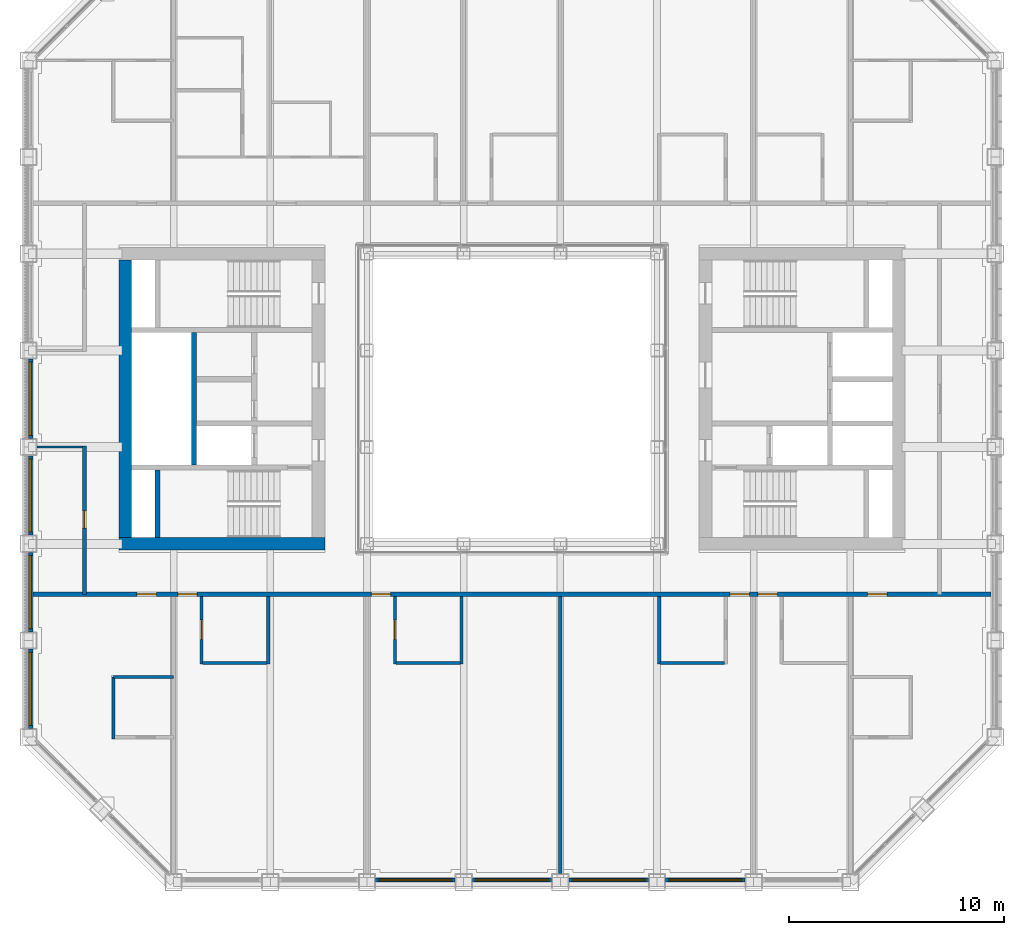
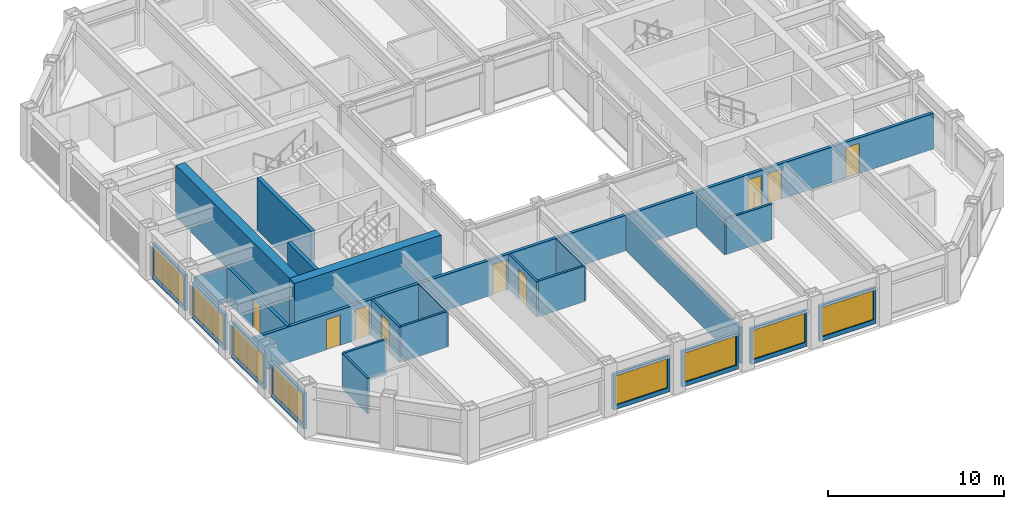
# One storey, part 10 of 17: 26 walls, 9 doors, 8 windows, 17 openings.
"""IFC4 building model written with IfcOpenShell, lengths in metres."""

from ifc_helpers import new_model, si_unit, direction, frame, frame_2d, origin, place, context, subcontext, project, spatial, rectangle, extrude, material, layer, layer_set, type_object, element, fill, save


model = new_model("IFC4")

# Units and contexts
model_context = context("Model", 3, precision=1e-05, world=origin(), true_north=direction((0.0, 1.0)))
body_context = subcontext(model_context, "Body", "Model", "MODEL_VIEW")
ifc_project = project(units=[si_unit("LENGTHUNIT", "METRE"), si_unit("AREAUNIT", "SQUARE_METRE"), si_unit("VOLUMEUNIT", "CUBIC_METRE"), si_unit("PLANEANGLEUNIT", "RADIAN"), si_unit("MASSUNIT", "GRAM", prefix="KILO")], contexts=[model_context])

# Site, building, storey
site_placement = place(None, origin())
site = spatial("IfcSite", under=ifc_project, at=site_placement, CompositionType="ELEMENT")
building_placement = place(site_placement, origin())
building = spatial("IfcBuilding", under=site, at=building_placement, Name="Msasa Ring Tower", CompositionType="ELEMENT")
storey_placement = place(building_placement, frame((0.0, 0.0, 179.60009765625)))
storey = spatial("IfcBuildingStorey", under=building, at=storey_placement, Name="L47", CompositionType="ELEMENT", Elevation=179.60009765625)

# Walls
ifc_material_1 = material(Name="Concrete C60/75", Category="concrete")
ifc_layer_1 = layer(ifc_material_1, 0.60009765625)
ifc_layer_set_1 = layer_set([ifc_layer_1], Name="CW2 CORE WALL 600")
wall_type_1 = type_object("IfcWallType", Name="CW2 CORE WALL 600", PredefinedType="SHEAR", material=ifc_layer_set_1)
wall_1_placement = place(storey_placement, frame((-8.699951171875, -6.75, 0.0), z_axis=(0.0, 0.0, 1.0), x_axis=(-1.0, 0.0, 0.0)))
element("IfcWall", 1, at=wall_1_placement, inside=storey, type_object=wall_type_1, Name="W core wall S L47", PredefinedType="SHEAR", context=body_context, shape_type="SweptSolid", body=[
    extrude(rectangle(XDim=9.60009765625, YDim=0.60009765625, at=frame_2d((4.800048828125, 0.0))), origin(), (0.0, 0.0, 1.0), 3.599853515625),
])
wall_2_placement = place(storey_placement, frame((-18.0, -6.449951171875, 0.0), z_axis=(0.0, 0.0, 1.0), x_axis=(0.0, 1.0, 0.0)))
element("IfcWall", 2, at=wall_2_placement, inside=storey, type_object=wall_type_1, Name="W core wall E L47", PredefinedType="SHEAR", context=body_context, shape_type="SweptSolid", body=[
    extrude(rectangle(XDim=12.89990234375, YDim=0.60009765625, at=frame_2d((6.449951171875, 0.0))), origin(), (0.0, 0.0, 1.0), 3.599853515625),
])
ifc_material_2 = material(Name="Concrete C60/75", Category="concrete")
ifc_layer_2 = layer(ifc_material_2, 0.25)
ifc_layer_set_2 = layer_set([ifc_layer_2], Name="CW4 CORE INNER WALL 250")
wall_type_2 = type_object("IfcWallType", Name="CW4 CORE INNER WALL 250", PredefinedType="SHEAR", material=ifc_layer_set_2)
wall_3_placement = place(storey_placement, frame((-16.5, -6.449951171875, 0.0), z_axis=(0.0, 0.0, 1.0), x_axis=(0.0, 1.0, 0.0)))
element("IfcWall", 3, at=wall_3_placement, inside=storey, type_object=wall_type_2, Name="W core wall RISERA L47", PredefinedType="SHEAR", context=body_context, shape_type="SweptSolid", body=[
    extrude(rectangle(XDim=3.125, YDim=0.25, at=frame_2d((1.5625, 0.0))), origin(), (0.0, 0.0, 1.0), 3.599853515625),
])
wall_4_placement = place(storey_placement, frame((-14.800048828125, -3.074951171875, 0.0), z_axis=(0.0, 0.0, 1.0), x_axis=(0.0, 1.0, 0.0)))
element("IfcWall", 4, at=wall_4_placement, inside=storey, type_object=wall_type_2, Name="W core wall SHAFT L47", PredefinedType="SHEAR", context=body_context, shape_type="SweptSolid", body=[
    extrude(rectangle(XDim=6.14990234375, YDim=0.25, at=frame_2d((3.074951171875, 0.0))), origin(), (0.0, 0.0, 1.0), 3.599853515625),
])

# Wall, opening, window
ifc_material_3 = material(Name="Terracotta rainscreen on blockwork", Category="masonry")
ifc_layer_3 = layer(ifc_material_3, 0.199951171875)
ifc_layer_set_3 = layer_set([ifc_layer_3], Name="FW1 TERRACOTTA-LINED INFILL BAY WALL 200")
wall_type_3 = type_object("IfcWallType", Name="FW1 TERRACOTTA-LINED INFILL BAY WALL 200", PredefinedType="SOLIDWALL", material=ifc_layer_set_3)
wall_5_placement = place(storey_placement, frame((-6.344970703125, -22.39990234375, 0.0), z_axis=(0.0, 0.0, 1.0), x_axis=(1.0, 0.0, 0.0)))
wall_5 = element("IfcWall", 5, at=wall_5_placement, inside=storey, type_object=wall_type_3, Name="Infill bay wall S L47 02", PredefinedType="SOLIDWALL", context=body_context, shape_type="SweptSolid", body=[
    extrude(rectangle(XDim=3.68994140625, YDim=0.199951171875, at=frame_2d((1.844970703125, 0.0))), origin(), (0.0, 0.0, 1.0), 2.47900390625),
])
opening_1_placement = place(wall_5_placement, frame((0.14501953125, 0.0, 0.300048828125)))
opening_1 = element("IfcOpeningElement", 6, at=opening_1_placement, cuts=wall_5, Name="Opening WN2", PredefinedType="OPENING", context=body_context, shape_type="SweptSolid", body=[
    extrude(rectangle(XDim=3.39990234375, YDim=2.029052734375, at=frame_2d((1.699951171875, 1.0146484375))), frame((0.0, 0.10986328125, 0.0), z_axis=(0.0, -1.0, 0.0), x_axis=(1.0, 0.0, 0.0)), (0.0, 0.0, 1.0), 0.219970703125),
])
ifc_material_4 = material(Name="Aluminium frame with clear glass", Category="aluminium")
window_type = type_object("IfcWindowType", Name="WN2 GUEST ROOM WINDOW 3400x2029", PartitioningType="SINGLE_PANEL", PredefinedType="WINDOW", material=ifc_material_4)
window_1_placement = place(opening_1_placement, origin())
window_1 = element("IfcWindow", 7, at=window_1_placement, inside=storey, type_object=window_type, Name="Window S L47 02", OverallHeight=2.029052734375, OverallWidth=3.39990234375, PartitioningType="SINGLE_PANEL", PredefinedType="WINDOW", context=body_context, shape_type="SweptSolid", body=[
    extrude(rectangle(XDim=3.39990234375, YDim=2.029052734375, at=frame_2d((1.699951171875, 1.0146484375))), frame((0.0, 0.030029296875, 0.0), z_axis=(0.0, -1.0, 0.0), x_axis=(1.0, 0.0, 0.0)), (0.0, 0.0, 1.0), 0.06005859375),
])
fill(opening_1, window_1)

wall_6_placement = place(storey_placement, frame((-1.844970703125, -22.39990234375, 0.0), z_axis=(0.0, 0.0, 1.0), x_axis=(1.0, 0.0, 0.0)))
wall_6 = element("IfcWall", 8, at=wall_6_placement, inside=storey, type_object=wall_type_3, Name="Infill bay wall S L47 03", PredefinedType="SOLIDWALL", context=body_context, shape_type="SweptSolid", body=[
    extrude(rectangle(XDim=3.68994140625, YDim=0.199951171875, at=frame_2d((1.844970703125, 0.0))), origin(), (0.0, 0.0, 1.0), 2.47900390625),
])
opening_2_placement = place(wall_6_placement, frame((0.14501953125, 0.0, 0.300048828125)))
opening_2 = element("IfcOpeningElement", 9, at=opening_2_placement, cuts=wall_6, Name="Opening WN2", PredefinedType="OPENING", context=body_context, shape_type="SweptSolid", body=[
    extrude(rectangle(XDim=3.39990234375, YDim=2.029052734375, at=frame_2d((1.699951171875, 1.0146484375))), frame((0.0, 0.10986328125, 0.0), z_axis=(0.0, -1.0, 0.0), x_axis=(1.0, 0.0, 0.0)), (0.0, 0.0, 1.0), 0.219970703125),
])
window_2_placement = place(opening_2_placement, origin())
window_2 = element("IfcWindow", 10, at=window_2_placement, inside=storey, type_object=window_type, Name="Window S L47 03", OverallHeight=2.029052734375, OverallWidth=3.39990234375, PartitioningType="SINGLE_PANEL", PredefinedType="WINDOW", context=body_context, shape_type="SweptSolid", body=[
    extrude(rectangle(XDim=3.39990234375, YDim=2.029052734375, at=frame_2d((1.699951171875, 1.0146484375))), frame((0.0, 0.030029296875, 0.0), z_axis=(0.0, -1.0, 0.0), x_axis=(1.0, 0.0, 0.0)), (0.0, 0.0, 1.0), 0.06005859375),
])
fill(opening_2, window_2)

wall_7_placement = place(storey_placement, frame((2.655029296875, -22.39990234375, 0.0), z_axis=(0.0, 0.0, 1.0), x_axis=(1.0, 0.0, 0.0)))
wall_7 = element("IfcWall", 11, at=wall_7_placement, inside=storey, type_object=wall_type_3, Name="Infill bay wall S L47 04", PredefinedType="SOLIDWALL", context=body_context, shape_type="SweptSolid", body=[
    extrude(rectangle(XDim=3.68994140625, YDim=0.199951171875, at=frame_2d((1.844970703125, 0.0))), origin(), (0.0, 0.0, 1.0), 2.47900390625),
])
opening_3_placement = place(wall_7_placement, frame((0.14501953125, 0.0, 0.300048828125)))
opening_3 = element("IfcOpeningElement", 12, at=opening_3_placement, cuts=wall_7, Name="Opening WN2", PredefinedType="OPENING", context=body_context, shape_type="SweptSolid", body=[
    extrude(rectangle(XDim=3.39990234375, YDim=2.029052734375, at=frame_2d((1.699951171875, 1.0146484375))), frame((0.0, 0.10986328125, 0.0), z_axis=(0.0, -1.0, 0.0), x_axis=(1.0, 0.0, 0.0)), (0.0, 0.0, 1.0), 0.219970703125),
])
window_3_placement = place(opening_3_placement, origin())
window_3 = element("IfcWindow", 13, at=window_3_placement, inside=storey, type_object=window_type, Name="Window S L47 04", OverallHeight=2.029052734375, OverallWidth=3.39990234375, PartitioningType="SINGLE_PANEL", PredefinedType="WINDOW", context=body_context, shape_type="SweptSolid", body=[
    extrude(rectangle(XDim=3.39990234375, YDim=2.029052734375, at=frame_2d((1.699951171875, 1.0146484375))), frame((0.0, 0.030029296875, 0.0), z_axis=(0.0, -1.0, 0.0), x_axis=(1.0, 0.0, 0.0)), (0.0, 0.0, 1.0), 0.06005859375),
])
fill(opening_3, window_3)

wall_8_placement = place(storey_placement, frame((7.155029296875, -22.39990234375, 0.0), z_axis=(0.0, 0.0, 1.0), x_axis=(1.0, 0.0, 0.0)))
wall_8 = element("IfcWall", 14, at=wall_8_placement, inside=storey, type_object=wall_type_3, Name="Infill bay wall S L47 05", PredefinedType="SOLIDWALL", context=body_context, shape_type="SweptSolid", body=[
    extrude(rectangle(XDim=3.68994140625, YDim=0.199951171875, at=frame_2d((1.844970703125, 0.0))), origin(), (0.0, 0.0, 1.0), 2.47900390625),
])
opening_4_placement = place(wall_8_placement, frame((0.14501953125, 0.0, 0.300048828125)))
opening_4 = element("IfcOpeningElement", 15, at=opening_4_placement, cuts=wall_8, Name="Opening WN2", PredefinedType="OPENING", context=body_context, shape_type="SweptSolid", body=[
    extrude(rectangle(XDim=3.39990234375, YDim=2.029052734375, at=frame_2d((1.699951171875, 1.0146484375))), frame((0.0, 0.10986328125, 0.0), z_axis=(0.0, -1.0, 0.0), x_axis=(1.0, 0.0, 0.0)), (0.0, 0.0, 1.0), 0.219970703125),
])
window_4_placement = place(opening_4_placement, origin())
window_4 = element("IfcWindow", 16, at=window_4_placement, inside=storey, type_object=window_type, Name="Window S L47 05", OverallHeight=2.029052734375, OverallWidth=3.39990234375, PartitioningType="SINGLE_PANEL", PredefinedType="WINDOW", context=body_context, shape_type="SweptSolid", body=[
    extrude(rectangle(XDim=3.39990234375, YDim=2.029052734375, at=frame_2d((1.699951171875, 1.0146484375))), frame((0.0, 0.030029296875, 0.0), z_axis=(0.0, -1.0, 0.0), x_axis=(1.0, 0.0, 0.0)), (0.0, 0.0, 1.0), 0.06005859375),
])
fill(opening_4, window_4)

wall_9_placement = place(storey_placement, frame((-22.39990234375, -15.344970703125, 0.0), z_axis=(0.0, 0.0, 1.0), x_axis=(0.0, 1.0, 0.0)))
wall_9 = element("IfcWall", 17, at=wall_9_placement, inside=storey, type_object=wall_type_3, Name="Infill bay wall W L47 27", PredefinedType="SOLIDWALL", context=body_context, shape_type="SweptSolid", body=[
    extrude(rectangle(XDim=3.68994140625, YDim=0.199951171875, at=frame_2d((1.844970703125, 0.0))), origin(), (0.0, 0.0, 1.0), 2.47900390625),
])
opening_5_placement = place(wall_9_placement, frame((0.14501953125, 0.0, 0.300048828125)))
opening_5 = element("IfcOpeningElement", 18, at=opening_5_placement, cuts=wall_9, Name="Opening WN2", PredefinedType="OPENING", context=body_context, shape_type="SweptSolid", body=[
    extrude(rectangle(XDim=3.39990234375, YDim=2.029052734375, at=frame_2d((1.699951171875, 1.0146484375))), frame((0.0, 0.10986328125, 0.0), z_axis=(0.0, -1.0, 0.0), x_axis=(1.0, 0.0, 0.0)), (0.0, 0.0, 1.0), 0.219970703125),
])
window_5_placement = place(opening_5_placement, origin())
window_5 = element("IfcWindow", 19, at=window_5_placement, inside=storey, type_object=window_type, Name="Window W L47 27", OverallHeight=2.029052734375, OverallWidth=3.39990234375, PartitioningType="SINGLE_PANEL", PredefinedType="WINDOW", context=body_context, shape_type="SweptSolid", body=[
    extrude(rectangle(XDim=3.39990234375, YDim=2.029052734375, at=frame_2d((1.699951171875, 1.0146484375))), frame((0.0, 0.030029296875, 0.0), z_axis=(0.0, -1.0, 0.0), x_axis=(1.0, 0.0, 0.0)), (0.0, 0.0, 1.0), 0.06005859375),
])
fill(opening_5, window_5)

wall_10_placement = place(storey_placement, frame((-22.39990234375, -10.844970703125, 0.0), z_axis=(0.0, 0.0, 1.0), x_axis=(0.0, 1.0, 0.0)))
wall_10 = element("IfcWall", 20, at=wall_10_placement, inside=storey, type_object=wall_type_3, Name="Infill bay wall W L47 28", PredefinedType="SOLIDWALL", context=body_context, shape_type="SweptSolid", body=[
    extrude(rectangle(XDim=3.68994140625, YDim=0.199951171875, at=frame_2d((1.844970703125, 0.0))), origin(), (0.0, 0.0, 1.0), 2.47900390625),
])
opening_6_placement = place(wall_10_placement, frame((0.14501953125, 0.0, 0.300048828125)))
opening_6 = element("IfcOpeningElement", 21, at=opening_6_placement, cuts=wall_10, Name="Opening WN2", PredefinedType="OPENING", context=body_context, shape_type="SweptSolid", body=[
    extrude(rectangle(XDim=3.39990234375, YDim=2.029052734375, at=frame_2d((1.699951171875, 1.0146484375))), frame((0.0, 0.10986328125, 0.0), z_axis=(0.0, -1.0, 0.0), x_axis=(1.0, 0.0, 0.0)), (0.0, 0.0, 1.0), 0.219970703125),
])
window_6_placement = place(opening_6_placement, origin())
window_6 = element("IfcWindow", 22, at=window_6_placement, inside=storey, type_object=window_type, Name="Window W L47 28", OverallHeight=2.029052734375, OverallWidth=3.39990234375, PartitioningType="SINGLE_PANEL", PredefinedType="WINDOW", context=body_context, shape_type="SweptSolid", body=[
    extrude(rectangle(XDim=3.39990234375, YDim=2.029052734375, at=frame_2d((1.699951171875, 1.0146484375))), frame((0.0, 0.030029296875, 0.0), z_axis=(0.0, -1.0, 0.0), x_axis=(1.0, 0.0, 0.0)), (0.0, 0.0, 1.0), 0.06005859375),
])
fill(opening_6, window_6)

wall_11_placement = place(storey_placement, frame((-22.39990234375, -6.344970703125, 0.0), z_axis=(0.0, 0.0, 1.0), x_axis=(0.0, 1.0, 0.0)))
wall_11 = element("IfcWall", 23, at=wall_11_placement, inside=storey, type_object=wall_type_3, Name="Infill bay wall W L47 29", PredefinedType="SOLIDWALL", context=body_context, shape_type="SweptSolid", body=[
    extrude(rectangle(XDim=3.68994140625, YDim=0.199951171875, at=frame_2d((1.844970703125, 0.0))), origin(), (0.0, 0.0, 1.0), 2.47900390625),
])
opening_7_placement = place(wall_11_placement, frame((0.14501953125, 0.0, 0.300048828125)))
opening_7 = element("IfcOpeningElement", 24, at=opening_7_placement, cuts=wall_11, Name="Opening WN2", PredefinedType="OPENING", context=body_context, shape_type="SweptSolid", body=[
    extrude(rectangle(XDim=3.39990234375, YDim=2.029052734375, at=frame_2d((1.699951171875, 1.0146484375))), frame((0.0, 0.10986328125, 0.0), z_axis=(0.0, -1.0, 0.0), x_axis=(1.0, 0.0, 0.0)), (0.0, 0.0, 1.0), 0.219970703125),
])
window_7_placement = place(opening_7_placement, origin())
window_7 = element("IfcWindow", 25, at=window_7_placement, inside=storey, type_object=window_type, Name="Window W L47 29", OverallHeight=2.029052734375, OverallWidth=3.39990234375, PartitioningType="SINGLE_PANEL", PredefinedType="WINDOW", context=body_context, shape_type="SweptSolid", body=[
    extrude(rectangle(XDim=3.39990234375, YDim=2.029052734375, at=frame_2d((1.699951171875, 1.0146484375))), frame((0.0, 0.030029296875, 0.0), z_axis=(0.0, -1.0, 0.0), x_axis=(1.0, 0.0, 0.0)), (0.0, 0.0, 1.0), 0.06005859375),
])
fill(opening_7, window_7)

wall_12_placement = place(storey_placement, frame((-22.39990234375, -1.844970703125, 0.0), z_axis=(0.0, 0.0, 1.0), x_axis=(0.0, 1.0, 0.0)))
wall_12 = element("IfcWall", 26, at=wall_12_placement, inside=storey, type_object=wall_type_3, Name="Infill bay wall W L47 30", PredefinedType="SOLIDWALL", context=body_context, shape_type="SweptSolid", body=[
    extrude(rectangle(XDim=3.68994140625, YDim=0.199951171875, at=frame_2d((1.844970703125, 0.0))), origin(), (0.0, 0.0, 1.0), 2.47900390625),
])
opening_8_placement = place(wall_12_placement, frame((0.14501953125, 0.0, 0.300048828125)))
opening_8 = element("IfcOpeningElement", 27, at=opening_8_placement, cuts=wall_12, Name="Opening WN2", PredefinedType="OPENING", context=body_context, shape_type="SweptSolid", body=[
    extrude(rectangle(XDim=3.39990234375, YDim=2.029052734375, at=frame_2d((1.699951171875, 1.0146484375))), frame((0.0, 0.10986328125, 0.0), z_axis=(0.0, -1.0, 0.0), x_axis=(1.0, 0.0, 0.0)), (0.0, 0.0, 1.0), 0.219970703125),
])
window_8_placement = place(opening_8_placement, origin())
window_8 = element("IfcWindow", 28, at=window_8_placement, inside=storey, type_object=window_type, Name="Window W L47 30", OverallHeight=2.029052734375, OverallWidth=3.39990234375, PartitioningType="SINGLE_PANEL", PredefinedType="WINDOW", context=body_context, shape_type="SweptSolid", body=[
    extrude(rectangle(XDim=3.39990234375, YDim=2.029052734375, at=frame_2d((1.699951171875, 1.0146484375))), frame((0.0, 0.030029296875, 0.0), z_axis=(0.0, -1.0, 0.0), x_axis=(1.0, 0.0, 0.0)), (0.0, 0.0, 1.0), 0.06005859375),
])
fill(opening_8, window_8)

# Wall, openings, doors
ifc_material_5 = material(Name="Concrete blockwork", Category="masonry")
ifc_layer_4 = layer(ifc_material_5, 0.199951171875)
ifc_layer_set_4 = layer_set([ifc_layer_4], Name="PT1 CORRIDOR WALL 200")
wall_type_4 = type_object("IfcWallType", Name="PT1 CORRIDOR WALL 200", PredefinedType="PARTITIONING", material=ifc_layer_set_4)
wall_13_placement = place(storey_placement, frame((-22.300048828125, -9.10009765625, 0.0), z_axis=(0.0, 0.0, 1.0), x_axis=(1.0, 0.0, 0.0)))
wall_13 = element("IfcWall", 29, at=wall_13_placement, inside=storey, type_object=wall_type_4, Name="Corridor wall L47-CORRS0", PredefinedType="PARTITIONING", context=body_context, shape_type="SweptSolid", body=[
    extrude(rectangle(XDim=44.60009765625, YDim=0.199951171875, at=frame_2d((22.300048828125, 0.0))), origin(), (0.0, 0.0, 1.0), 2.473388671875),
])
opening_9_placement = place(wall_13_placement, frame((6.75, 0.0, 0.0)))
opening_9 = element("IfcOpeningElement", 30, at=opening_9_placement, cuts=wall_13, Name="Opening HF-035", PredefinedType="OPENING", context=body_context, shape_type="SweptSolid", body=[
    extrude(rectangle(XDim=0.89990234375, YDim=2.10009765625, at=frame_2d((0.449951171875, 1.050048828125))), frame((0.0, 0.10986328125, 0.0), z_axis=(0.0, -1.0, 0.0), x_axis=(1.0, 0.0, 0.0)), (0.0, 0.0, 1.0), 0.219970703125),
])
opening_10_placement = place(wall_13_placement, frame((15.75, 0.0, 0.0)))
opening_10 = element("IfcOpeningElement", 31, at=opening_10_placement, cuts=wall_13, Name="Opening HF-036", PredefinedType="OPENING", context=body_context, shape_type="SweptSolid", body=[
    extrude(rectangle(XDim=0.89990234375, YDim=2.10009765625, at=frame_2d((0.449951171875, 1.050048828125))), frame((0.0, 0.10986328125, 0.0), z_axis=(0.0, -1.0, 0.0), x_axis=(1.0, 0.0, 0.0)), (0.0, 0.0, 1.0), 0.219970703125),
])
opening_11_placement = place(wall_13_placement, frame((32.449951171875, 0.0, 0.0)))
opening_11 = element("IfcOpeningElement", 32, at=opening_11_placement, cuts=wall_13, Name="Opening HF-037", PredefinedType="OPENING", context=body_context, shape_type="SweptSolid", body=[
    extrude(rectangle(XDim=0.89990234375, YDim=2.10009765625, at=frame_2d((0.449951171875, 1.050048828125))), frame((0.0, 0.10986328125, 0.0), z_axis=(0.0, -1.0, 0.0), x_axis=(1.0, 0.0, 0.0)), (0.0, 0.0, 1.0), 0.219970703125),
])
opening_12_placement = place(wall_13_placement, frame((33.75, 0.0, 0.0)))
opening_12 = element("IfcOpeningElement", 33, at=opening_12_placement, cuts=wall_13, Name="Opening HF-038", PredefinedType="OPENING", context=body_context, shape_type="SweptSolid", body=[
    extrude(rectangle(XDim=0.89990234375, YDim=2.10009765625, at=frame_2d((0.449951171875, 1.050048828125))), frame((0.0, 0.10986328125, 0.0), z_axis=(0.0, -1.0, 0.0), x_axis=(1.0, 0.0, 0.0)), (0.0, 0.0, 1.0), 0.219970703125),
])
opening_13_placement = place(wall_13_placement, frame((38.85009765625, 0.0, 0.0)))
opening_13 = element("IfcOpeningElement", 34, at=opening_13_placement, cuts=wall_13, Name="Opening HF-039", PredefinedType="OPENING", context=body_context, shape_type="SweptSolid", body=[
    extrude(rectangle(XDim=0.89990234375, YDim=2.10009765625, at=frame_2d((0.449951171875, 1.050048828125))), frame((0.0, 0.10986328125, 0.0), z_axis=(0.0, -1.0, 0.0), x_axis=(1.0, 0.0, 0.0)), (0.0, 0.0, 1.0), 0.219970703125),
])
opening_14_placement = place(wall_13_placement, frame((4.85009765625, 0.0, 0.0)))
opening_14 = element("IfcOpeningElement", 35, at=opening_14_placement, cuts=wall_13, Name="Opening HF-034", PredefinedType="OPENING", context=body_context, shape_type="SweptSolid", body=[
    extrude(rectangle(XDim=0.89990234375, YDim=2.10009765625, at=frame_2d((0.449951171875, 1.050048828125))), frame((0.0, 0.10986328125, 0.0), z_axis=(0.0, -1.0, 0.0), x_axis=(1.0, 0.0, 0.0)), (0.0, 0.0, 1.0), 0.219970703125),
])
ifc_material_6 = material(Name="Timber door leaf in a steel frame", Category="steel")
door_type_1 = type_object("IfcDoorType", Name="D1 SINGLE DOOR TO CORRIDOR 900x2100", OperationType="SINGLE_SWING_LEFT", PredefinedType="DOOR", material=ifc_material_6)
door_1_placement = place(opening_9_placement, origin())
door_1 = element("IfcDoor", 36, at=door_1_placement, inside=storey, type_object=door_type_1, Name="Door L47-GS00", OperationType="SINGLE_SWING_LEFT", OverallHeight=2.10009765625, OverallWidth=0.89990234375, PredefinedType="DOOR", context=body_context, shape_type="SweptSolid", body=[
    extrude(rectangle(XDim=0.89990234375, YDim=2.10009765625, at=frame_2d((0.449951171875, 1.050048828125))), frame((0.0, 0.02490234375, 0.0), z_axis=(0.0, -1.0, 0.0), x_axis=(1.0, 0.0, 0.0)), (0.0, 0.0, 1.0), 0.050048828125),
])
fill(opening_9, door_1)
door_2_placement = place(opening_10_placement, origin())
door_2 = element("IfcDoor", 37, at=door_2_placement, inside=storey, type_object=door_type_1, Name="Door L47-GS01", OperationType="SINGLE_SWING_LEFT", OverallHeight=2.10009765625, OverallWidth=0.89990234375, PredefinedType="DOOR", context=body_context, shape_type="SweptSolid", body=[
    extrude(rectangle(XDim=0.89990234375, YDim=2.10009765625, at=frame_2d((0.449951171875, 1.050048828125))), frame((0.0, 0.02490234375, 0.0), z_axis=(0.0, -1.0, 0.0), x_axis=(1.0, 0.0, 0.0)), (0.0, 0.0, 1.0), 0.050048828125),
])
fill(opening_10, door_2)
door_3_placement = place(opening_11_placement, origin())
door_3 = element("IfcDoor", 38, at=door_3_placement, inside=storey, type_object=door_type_1, Name="Door L47-GS02", OperationType="SINGLE_SWING_RIGHT", OverallHeight=2.10009765625, OverallWidth=0.89990234375, PredefinedType="DOOR", context=body_context, shape_type="SweptSolid", body=[
    extrude(rectangle(XDim=0.89990234375, YDim=2.10009765625, at=frame_2d((0.449951171875, 1.050048828125))), frame((0.0, 0.02490234375, 0.0), z_axis=(0.0, -1.0, 0.0), x_axis=(1.0, 0.0, 0.0)), (0.0, 0.0, 1.0), 0.050048828125),
])
fill(opening_11, door_3)
door_4_placement = place(opening_12_placement, origin())
door_4 = element("IfcDoor", 39, at=door_4_placement, inside=storey, type_object=door_type_1, Name="Door L47-GS03", OperationType="SINGLE_SWING_RIGHT", OverallHeight=2.10009765625, OverallWidth=0.89990234375, PredefinedType="DOOR", context=body_context, shape_type="SweptSolid", body=[
    extrude(rectangle(XDim=0.89990234375, YDim=2.10009765625, at=frame_2d((0.449951171875, 1.050048828125))), frame((0.0, 0.02490234375, 0.0), z_axis=(0.0, -1.0, 0.0), x_axis=(1.0, 0.0, 0.0)), (0.0, 0.0, 1.0), 0.050048828125),
])
fill(opening_12, door_4)
ifc_material_7 = material(Name="Timber door leaf in a steel frame", Category="steel")
door_type_2 = type_object("IfcDoorType", Name="D2 ENTRANCE DOOR 900x2100", OperationType="SINGLE_SWING_LEFT", PredefinedType="DOOR", material=ifc_material_7)
door_5_placement = place(opening_13_placement, origin())
door_5 = element("IfcDoor", 40, at=door_5_placement, inside=storey, type_object=door_type_2, Name="Door L47-CSSE", OperationType="SINGLE_SWING_RIGHT", OverallHeight=2.10009765625, OverallWidth=0.89990234375, PredefinedType="DOOR", context=body_context, shape_type="SweptSolid", body=[
    extrude(rectangle(XDim=0.89990234375, YDim=2.10009765625, at=frame_2d((0.449951171875, 1.050048828125))), frame((0.0, 0.02490234375, 0.0), z_axis=(0.0, -1.0, 0.0), x_axis=(1.0, 0.0, 0.0)), (0.0, 0.0, 1.0), 0.050048828125),
])
fill(opening_13, door_5)
door_6_placement = place(opening_14_placement, origin())
door_6 = element("IfcDoor", 41, at=door_6_placement, inside=storey, type_object=door_type_2, Name="Door L47-CSSW", OperationType="SINGLE_SWING_LEFT", OverallHeight=2.10009765625, OverallWidth=0.89990234375, PredefinedType="DOOR", context=body_context, shape_type="SweptSolid", body=[
    extrude(rectangle(XDim=0.89990234375, YDim=2.10009765625, at=frame_2d((0.449951171875, 1.050048828125))), frame((0.0, 0.02490234375, 0.0), z_axis=(0.0, -1.0, 0.0), x_axis=(1.0, 0.0, 0.0)), (0.0, 0.0, 1.0), 0.050048828125),
])
fill(opening_14, door_6)

# Wall, opening, door
wall_14_placement = place(storey_placement, frame((-19.89990234375, -9.10009765625, 0.0), z_axis=(0.0, 0.0, 1.0), x_axis=(0.0, 1.0, 0.0)))
wall_14 = element("IfcWall", 42, at=wall_14_placement, inside=storey, type_object=wall_type_4, Name="Corridor wall L47-STRWS", PredefinedType="PARTITIONING", context=body_context, shape_type="SweptSolid", body=[
    extrude(rectangle(XDim=6.900146484375, YDim=0.199951171875, at=frame_2d((3.4501953125, 0.0))), origin(), (0.0, 0.0, 1.0), 2.473388671875),
])
opening_15_placement = place(wall_14_placement, frame((3.074951171875, 0.0, 0.0)))
opening_15 = element("IfcOpeningElement", 43, at=opening_15_placement, cuts=wall_14, Name="Opening HF-033", PredefinedType="OPENING", context=body_context, shape_type="SweptSolid", body=[
    extrude(rectangle(XDim=0.800048828125, YDim=2.10009765625, at=frame_2d((0.39990234375, 1.050048828125))), frame((0.0, 0.10986328125, 0.0), z_axis=(0.0, -1.0, 0.0), x_axis=(1.0, 0.0, 0.0)), (0.0, 0.0, 1.0), 0.219970703125),
])
ifc_material_8 = material(Name="Timber door leaf in a steel frame", Category="steel")
door_type_3 = type_object("IfcDoorType", Name="D11 NARROW STORE DOOR 800x2100", OperationType="SINGLE_SWING_LEFT", PredefinedType="DOOR", material=ifc_material_8)
door_7_placement = place(opening_15_placement, origin())
door_7 = element("IfcDoor", 44, at=door_7_placement, inside=storey, type_object=door_type_3, Name="Door L47-CLW", OperationType="SINGLE_SWING_LEFT", OverallHeight=2.10009765625, OverallWidth=0.800048828125, PredefinedType="DOOR", context=body_context, shape_type="SweptSolid", body=[
    extrude(rectangle(XDim=0.800048828125, YDim=2.10009765625, at=frame_2d((0.39990234375, 1.050048828125))), frame((0.0, 0.02490234375, 0.0), z_axis=(0.0, -1.0, 0.0), x_axis=(1.0, 0.0, 0.0)), (0.0, 0.0, 1.0), 0.050048828125),
])
fill(opening_15, door_7)

# Wall
ifc_material_9 = material(Name="Gypsum board on steel studs", Category="steel")
ifc_layer_5 = layer(ifc_material_9, 0.10009765625)
ifc_layer_set_5 = layer_set([ifc_layer_5], Name="PT2 STUD PARTITION 100")
wall_type_5 = type_object("IfcWallType", Name="PT2 STUD PARTITION 100", PredefinedType="PARTITIONING", material=ifc_layer_set_5)
wall_15_placement = place(storey_placement, frame((-22.10009765625, -2.25, 0.0), z_axis=(0.0, 0.0, 1.0), x_axis=(1.0, 0.0, 0.0)))
element("IfcWall", 45, at=wall_15_placement, inside=storey, type_object=wall_type_5, Name="Partition L47-ALWS", PredefinedType="PARTITIONING", context=body_context, shape_type="SweptSolid", body=[
    extrude(rectangle(XDim=2.10009765625, YDim=0.10009765625, at=frame_2d((1.050048828125, 0.0))), origin(), (0.0, 0.0, 1.0), 2.473388671875),
])

# Wall, opening, door
ifc_material_10 = material(Name="Moisture-resistant board on steel studs with a concealed cistern and pipe void, tiled", Category="steel")
ifc_layer_6 = layer(ifc_material_10, 0.14990234375)
ifc_layer_set_6 = layer_set([ifc_layer_6], Name="PT4 BATHROOM WET WALL 150")
wall_type_6 = type_object("IfcWallType", Name="PT4 BATHROOM WET WALL 150", PredefinedType="PARTITIONING", material=ifc_layer_set_6)
wall_16_placement = place(storey_placement, frame((-14.449951171875, -12.35009765625, 0.0), z_axis=(0.0, 0.0, 1.0), x_axis=(0.0, 1.0, 0.0)))
wall_16 = element("IfcWall", 46, at=wall_16_placement, inside=storey, type_object=wall_type_6, Name="Partition L47-GS00BX", PredefinedType="PARTITIONING", context=body_context, shape_type="SweptSolid", body=[
    extrude(rectangle(XDim=3.150146484375, YDim=0.14990234375, at=frame_2d((1.5751953125, 0.0))), origin(), (0.0, 0.0, 1.0), 2.473388671875),
])
opening_16_placement = place(wall_16_placement, frame((1.14990234375, 0.0, 0.0)))
opening_16 = element("IfcOpeningElement", 47, at=opening_16_placement, cuts=wall_16, Name="Opening HF-040", PredefinedType="OPENING", context=body_context, shape_type="SweptSolid", body=[
    extrude(rectangle(XDim=0.89990234375, YDim=2.10009765625, at=frame_2d((0.449951171875, 1.050048828125))), frame((0.0, 0.0849609375, 0.0), z_axis=(0.0, -1.0, 0.0), x_axis=(1.0, 0.0, 0.0)), (0.0, 0.0, 1.0), 0.169921875),
])
ifc_material_11 = material(Name="Timber door leaf in a steel frame", Category="steel")
door_type_4 = type_object("IfcDoorType", Name="D3 BATHROOM DOOR 900x2100", OperationType="SINGLE_SWING_LEFT", PredefinedType="DOOR", material=ifc_material_11)
door_8_placement = place(opening_16_placement, origin())
door_8 = element("IfcDoor", 48, at=door_8_placement, inside=storey, type_object=door_type_4, Name="Door L47-GS00B", OperationType="SINGLE_SWING_LEFT", OverallHeight=2.10009765625, OverallWidth=0.89990234375, PredefinedType="DOOR", context=body_context, shape_type="SweptSolid", body=[
    extrude(rectangle(XDim=0.89990234375, YDim=2.10009765625, at=frame_2d((0.449951171875, 1.050048828125))), frame((0.0, 0.02490234375, 0.0), z_axis=(0.0, -1.0, 0.0), x_axis=(1.0, 0.0, 0.0)), (0.0, 0.0, 1.0), 0.050048828125),
])
fill(opening_16, door_8)

# Walls
wall_17_placement = place(storey_placement, frame((-11.35009765625, -12.35009765625, 0.0), z_axis=(0.0, 0.0, 1.0), x_axis=(0.0, 1.0, 0.0)))
element("IfcWall", 49, at=wall_17_placement, inside=storey, type_object=wall_type_6, Name="Partition L47-GS00BF", PredefinedType="PARTITIONING", context=body_context, shape_type="SweptSolid", body=[
    extrude(rectangle(XDim=3.150146484375, YDim=0.14990234375, at=frame_2d((1.5751953125, 0.0))), origin(), (0.0, 0.0, 1.0), 2.473388671875),
])
wall_18_placement = place(storey_placement, frame((-14.39990234375, -12.300048828125, 0.0), z_axis=(0.0, 0.0, 1.0), x_axis=(1.0, 0.0, 0.0)))
element("IfcWall", 50, at=wall_18_placement, inside=storey, type_object=wall_type_6, Name="Partition L47-GS00BY", PredefinedType="PARTITIONING", context=body_context, shape_type="SweptSolid", body=[
    extrude(rectangle(XDim=3.0, YDim=0.14990234375, at=frame_2d((1.5, 0.0))), origin(), (0.0, 0.0, 1.0), 2.473388671875),
])

# Wall, opening, door
wall_19_placement = place(storey_placement, frame((-5.449951171875, -12.35009765625, 0.0), z_axis=(0.0, 0.0, 1.0), x_axis=(0.0, 1.0, 0.0)))
wall_19 = element("IfcWall", 51, at=wall_19_placement, inside=storey, type_object=wall_type_6, Name="Partition L47-GS01BX", PredefinedType="PARTITIONING", context=body_context, shape_type="SweptSolid", body=[
    extrude(rectangle(XDim=3.150146484375, YDim=0.14990234375, at=frame_2d((1.5751953125, 0.0))), origin(), (0.0, 0.0, 1.0), 2.473388671875),
])
opening_17_placement = place(wall_19_placement, frame((1.14990234375, 0.0, 0.0)))
opening_17 = element("IfcOpeningElement", 52, at=opening_17_placement, cuts=wall_19, Name="Opening HF-041", PredefinedType="OPENING", context=body_context, shape_type="SweptSolid", body=[
    extrude(rectangle(XDim=0.89990234375, YDim=2.10009765625, at=frame_2d((0.449951171875, 1.050048828125))), frame((0.0, 0.0849609375, 0.0), z_axis=(0.0, -1.0, 0.0), x_axis=(1.0, 0.0, 0.0)), (0.0, 0.0, 1.0), 0.169921875),
])
door_9_placement = place(opening_17_placement, origin())
door_9 = element("IfcDoor", 53, at=door_9_placement, inside=storey, type_object=door_type_4, Name="Door L47-GS01B", OperationType="SINGLE_SWING_LEFT", OverallHeight=2.10009765625, OverallWidth=0.89990234375, PredefinedType="DOOR", context=body_context, shape_type="SweptSolid", body=[
    extrude(rectangle(XDim=0.89990234375, YDim=2.10009765625, at=frame_2d((0.449951171875, 1.050048828125))), frame((0.0, 0.02490234375, 0.0), z_axis=(0.0, -1.0, 0.0), x_axis=(1.0, 0.0, 0.0)), (0.0, 0.0, 1.0), 0.050048828125),
])
fill(opening_17, door_9)

# Walls
wall_20_placement = place(storey_placement, frame((-2.35009765625, -12.35009765625, 0.0), z_axis=(0.0, 0.0, 1.0), x_axis=(0.0, 1.0, 0.0)))
element("IfcWall", 54, at=wall_20_placement, inside=storey, type_object=wall_type_6, Name="Partition L47-GS01BF", PredefinedType="PARTITIONING", context=body_context, shape_type="SweptSolid", body=[
    extrude(rectangle(XDim=3.150146484375, YDim=0.14990234375, at=frame_2d((1.5751953125, 0.0))), origin(), (0.0, 0.0, 1.0), 2.473388671875),
])
wall_21_placement = place(storey_placement, frame((-5.39990234375, -12.300048828125, 0.0), z_axis=(0.0, 0.0, 1.0), x_axis=(1.0, 0.0, 0.0)))
element("IfcWall", 55, at=wall_21_placement, inside=storey, type_object=wall_type_6, Name="Partition L47-GS01BY", PredefinedType="PARTITIONING", context=body_context, shape_type="SweptSolid", body=[
    extrude(rectangle(XDim=3.0, YDim=0.14990234375, at=frame_2d((1.5, 0.0))), origin(), (0.0, 0.0, 1.0), 2.473388671875),
])
wall_22_placement = place(storey_placement, frame((6.85009765625, -12.35009765625, 0.0), z_axis=(0.0, 0.0, 1.0), x_axis=(0.0, 1.0, 0.0)))
element("IfcWall", 56, at=wall_22_placement, inside=storey, type_object=wall_type_6, Name="Partition L47-GS02BF", PredefinedType="PARTITIONING", context=body_context, shape_type="SweptSolid", body=[
    extrude(rectangle(XDim=3.150146484375, YDim=0.14990234375, at=frame_2d((1.5751953125, 0.0))), origin(), (0.0, 0.0, 1.0), 2.473388671875),
])
wall_23_placement = place(storey_placement, frame((6.89990234375, -12.300048828125, 0.0), z_axis=(0.0, 0.0, 1.0), x_axis=(1.0, 0.0, 0.0)))
element("IfcWall", 57, at=wall_23_placement, inside=storey, type_object=wall_type_6, Name="Partition L47-GS02BY", PredefinedType="PARTITIONING", context=body_context, shape_type="SweptSolid", body=[
    extrude(rectangle(XDim=3.0, YDim=0.14990234375, at=frame_2d((1.5, 0.0))), origin(), (0.0, 0.0, 1.0), 2.473388671875),
])
wall_24_placement = place(storey_placement, frame((-18.550048828125, -15.824951171875, 0.0), z_axis=(0.0, 0.0, 1.0), x_axis=(0.0, 1.0, 0.0)))
element("IfcWall", 58, at=wall_24_placement, inside=storey, type_object=wall_type_6, Name="Partition L47-CSSWBX", PredefinedType="PARTITIONING", context=body_context, shape_type="SweptSolid", body=[
    extrude(rectangle(XDim=2.875, YDim=0.14990234375, at=frame_2d((1.4375, 0.0))), origin(), (0.0, 0.0, 1.0), 2.473388671875),
])
wall_25_placement = place(storey_placement, frame((-18.550048828125, -12.949951171875, 0.0), z_axis=(0.0, 0.0, 1.0), x_axis=(1.0, 0.0, 0.0)))
element("IfcWall", 59, at=wall_25_placement, inside=storey, type_object=wall_type_6, Name="Partition L47-CSSWBY", PredefinedType="PARTITIONING", context=body_context, shape_type="SweptSolid", body=[
    extrude(rectangle(XDim=2.800048828125, YDim=0.14990234375, at=frame_2d((1.39990234375, 0.0))), origin(), (0.0, 0.0, 1.0), 2.473388671875),
])
ifc_material_12 = material(Name="Twin steel studs, two layers of acoustic board each face, mineral wool", Category="steel")
ifc_layer_7 = layer(ifc_material_12, 0.175048828125)
ifc_layer_set_7 = layer_set([ifc_layer_7], Name="PT5 GUEST ROOM SEPARATING WALL 175")
wall_type_7 = type_object("IfcWallType", Name="PT5 GUEST ROOM SEPARATING WALL 175", PredefinedType="PARTITIONING", material=ifc_layer_set_7)
wall_26_placement = place(storey_placement, frame((2.25, -22.10009765625, 0.0), z_axis=(0.0, 0.0, 1.0), x_axis=(0.0, 1.0, 0.0)))
element("IfcWall", 60, at=wall_26_placement, inside=storey, type_object=wall_type_7, Name="Partition L47-PWS+2.25", PredefinedType="PARTITIONING", context=body_context, shape_type="SweptSolid", body=[
    extrude(rectangle(XDim=12.900146484375, YDim=0.175048828125, at=frame_2d((6.4501953125, 0.0))), origin(), (0.0, 0.0, 1.0), 2.473388671875),
])

save(model, "model.ifc")
